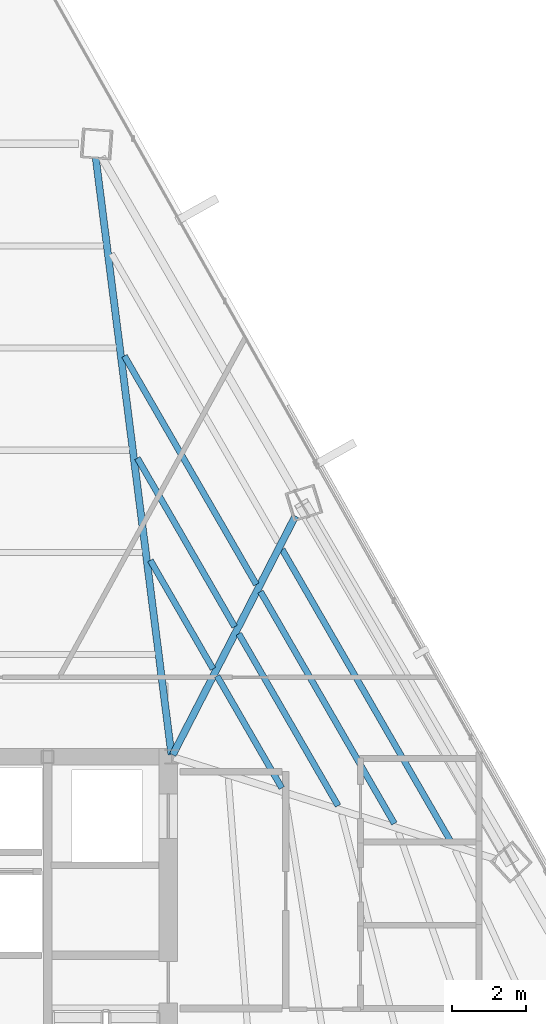
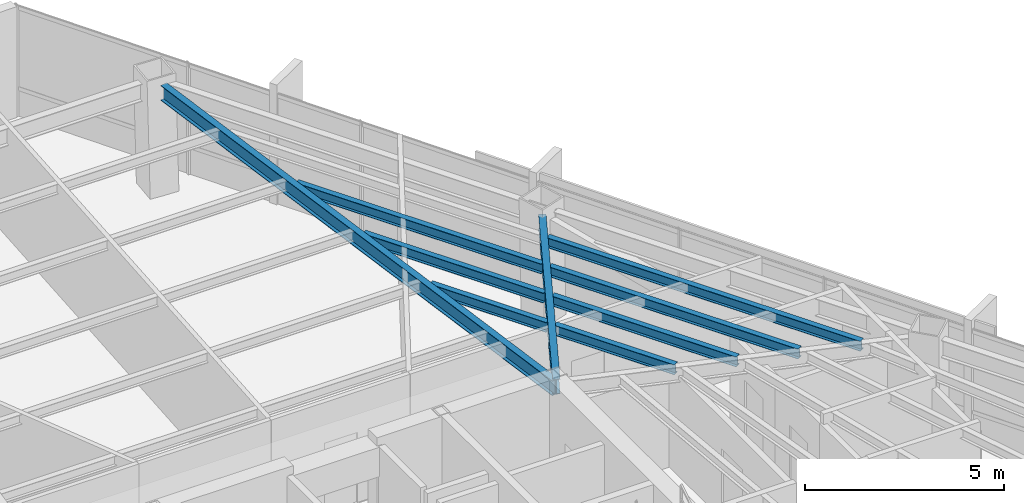
# One storey, part 25 of 42: 9 beams.
"""IFC4 building model written with IfcOpenShell, lengths in metres."""

import ifcopenshell
import ifcopenshell.guid

model = None  # the IFC model being written
_history = None  # IfcOwnerHistory: only IFC2X3 demands one
_inside = {}  # id of a spatial element -> (the spatial element, [elements in it])
_under = {}  # id of a project, library or spatial element -> (it, [spatial elements below it])
_declared = {}  # id of a project -> (the project, [libraries it declares])
_typed = {}  # id of a type object -> (the type object, [elements of that type])
_made_of = {}  # id of a material, layer set ... -> (it, [elements and type objects made of it])


def new_model(schema):
    """Start an empty IFC model of exactly this schema.

    Asked for "IFC4X3", IfcOpenShell would pick the latest addendum, in which some entities
    have other attributes; the version numbers below select the first issue.
    IFC2X3 requires an IfcOwnerHistory on every rooted entity: one is made here for all.
    """
    global model, _history
    if schema == "IFC4X3":
        model = ifcopenshell.file(schema_version=(4, 3, 0, 0))
    else:
        model = ifcopenshell.file(schema=schema)
    _inside.clear()
    _under.clear()
    _declared.clear()
    _typed.clear()
    _made_of.clear()
    _history = None
    if model.schema == "IFC2X3":
        org = make("IfcOrganization", Name="unknown")
        user = make(
            "IfcPersonAndOrganization",
            ThePerson=make("IfcPerson", FamilyName="unknown"),
            TheOrganization=org,
        )
        app = make(
            "IfcApplication",
            ApplicationDeveloper=org,
            Version="unknown",
            ApplicationFullName="unknown",
            ApplicationIdentifier="unknown",
        )
        _history = make(
            "IfcOwnerHistory",
            OwningUser=user,
            OwningApplication=app,
            ChangeAction="ADDED",
            CreationDate=0,
        )
    return model


def make(cls, **values):
    """One entity of the class cls with the attributes given. An attribute that is None is left unset."""
    return model.create_entity(
        cls, **{name: value for name, value in values.items() if value is not None}
    )


def rooted(cls, **values):
    """An entity with a GlobalId (a new one), such as an element, a storey or a relation."""
    return make(cls, GlobalId=ifcopenshell.guid.new(), OwnerHistory=_history, **values)


def si_unit(unit_type, name, prefix=None):
    """IfcSIUnit, for example si_unit("LENGTHUNIT", "METRE", prefix="MILLI")."""
    return make("IfcSIUnit", UnitType=unit_type, Prefix=prefix, Name=name)


def assignment(units):
    """IfcUnitAssignment: the units of a project."""
    return None if units is None else make("IfcUnitAssignment", Units=units)


def point(xyz):
    """IfcCartesianPoint."""
    return None if xyz is None else make("IfcCartesianPoint", Coordinates=xyz)


def direction(xyz):
    """IfcDirection."""
    return None if xyz is None else make("IfcDirection", DirectionRatios=xyz)


def frame(location, z_axis=None, x_axis=None):
    """IfcAxis2Placement3D, a coordinate frame: its origin and axes. An axis left out is left unset."""
    return make(
        "IfcAxis2Placement3D",
        Location=point(location),
        Axis=direction(z_axis),
        RefDirection=direction(x_axis),
    )


def frame_2d(location, x_axis=None):
    """IfcAxis2Placement2D, a coordinate frame in the plane: its origin and x axis."""
    return make(
        "IfcAxis2Placement2D", Location=point(location), RefDirection=direction(x_axis)
    )


def origin():
    """The frame at (0, 0, 0) with its axes left unset."""
    return frame((0.0, 0.0, 0.0))


def origin_2d():
    """The frame at (0, 0) in the plane with its x axis left unset."""
    return frame_2d((0.0, 0.0))


def place(relative_to, where):
    """IfcLocalPlacement: puts the frame where relative to a parent placement (None: the world)."""
    return make(
        "IfcLocalPlacement", PlacementRelTo=relative_to, RelativePlacement=where
    )


def context(
    kind, dimensions, precision=None, world=None, true_north=None, identifier=None
):
    """IfcGeometricRepresentationContext, for example the 3D "Model" context."""
    return make(
        "IfcGeometricRepresentationContext",
        ContextIdentifier=identifier,
        ContextType=kind,
        CoordinateSpaceDimension=dimensions,
        Precision=precision,
        WorldCoordinateSystem=world,
        TrueNorth=true_north,
    )


def subcontext(parent, identifier, kind, view, scale=None):
    """IfcGeometricRepresentationSubContext, for example "Body" below "Model"."""
    return make(
        "IfcGeometricRepresentationSubContext",
        ContextIdentifier=identifier,
        ContextType=kind,
        ParentContext=parent,
        TargetScale=scale,
        TargetView=view,
    )


def project(units=None, contexts=None):
    """IfcProject with its units and contexts."""
    return rooted(
        "IfcProject",
        Name="project",
        RepresentationContexts=contexts,
        UnitsInContext=assignment(units),
    )


def spatial(cls, under=None, at=None, **own):
    """A site, building, storey or space (cls), placed at a placement, below another one or the project."""
    s = rooted(cls, ObjectPlacement=at, **own)
    if under is not None:
        _under.setdefault(under.id(), (under, []))[1].append(s)
    return s


def profile(cls, at=None, kind="AREA", **sizes):
    """A parametric profile (cls). Its sizes go by their IFC names, for example OverallWidth=200.0."""
    return make(cls, ProfileType=kind, Position=at, **sizes)


def i_section(**sizes):
    """IfcIShapeProfileDef."""
    return profile("IfcIShapeProfileDef", **sizes)


def extrude(swept, where, along, depth):
    """IfcExtrudedAreaSolid: the profile swept, set in the frame where, extruded along a direction by depth."""
    return make(
        "IfcExtrudedAreaSolid",
        SweptArea=swept,
        Position=where,
        ExtrudedDirection=direction(along),
        Depth=depth,
    )


def shape(context_of_items, identifier, shape_type, items):
    """IfcShapeRepresentation: the items that make up one representation, for example the "Body"."""
    return make(
        "IfcShapeRepresentation",
        ContextOfItems=context_of_items,
        RepresentationIdentifier=identifier,
        RepresentationType=shape_type,
        Items=items,
    )


def source(mapping_origin, context_of_items, identifier, shape_type, items):
    """IfcRepresentationMap: a shape defined once, which mapped items show again and again."""
    return make(
        "IfcRepresentationMap",
        MappingOrigin=mapping_origin,
        MappedRepresentation=shape(context_of_items, identifier, shape_type, items),
    )


def transform(
    local_origin,
    x_axis=None,
    y_axis=None,
    z_axis=None,
    scale=None,
    scale2=None,
    scale3=None,
    uniform=True,
):
    """IfcCartesianTransformationOperator3D, or its non-uniform kind. x_axis, y_axis, z_axis: its Axis1, 2, 3."""
    if uniform:
        return make(
            "IfcCartesianTransformationOperator3D",
            Axis1=direction(x_axis),
            Axis2=direction(y_axis),
            LocalOrigin=point(local_origin),
            Scale=scale,
            Axis3=direction(z_axis),
        )
    return make(
        "IfcCartesianTransformationOperator3DnonUniform",
        Axis1=direction(x_axis),
        Axis2=direction(y_axis),
        LocalOrigin=point(local_origin),
        Scale=scale,
        Axis3=direction(z_axis),
        Scale2=scale2,
        Scale3=scale3,
    )


def mapped(mapping_source, mapping_target):
    """IfcMappedItem: shows the shape of a source again, moved by a transform."""
    return make(
        "IfcMappedItem", MappingSource=mapping_source, MappingTarget=mapping_target
    )


def material(Name=None, Category=None):
    """IfcMaterial."""
    return make("IfcMaterial", Name=Name, Category=Category)


def material_profile(
    of_material, cross_section, Name=None, Category=None, Priority=None
):
    """IfcMaterialProfile: a cross section and its material."""
    return make(
        "IfcMaterialProfile",
        Name=Name,
        Material=of_material,
        Profile=cross_section,
        Priority=Priority,
        Category=Category,
    )


def profile_set(profiles, Name=None, composite=None):
    """IfcMaterialProfileSet."""
    return make(
        "IfcMaterialProfileSet",
        Name=Name,
        MaterialProfiles=profiles,
        CompositeProfile=composite,
    )


def made_of(thing, what):
    """Note that an element or type object is made of a material, layer set ...; save() writes the relation."""
    if what is not None:
        _made_of.setdefault(what.id(), (what, []))[1].append(thing)
    return thing


def type_object(cls, material=None, **own):
    """A type object (cls), such as IfcWallType, which elements share."""
    return made_of(rooted(cls, **own), material)


def type_shapes(of_type, sources):
    """Give a type object the sources (RepresentationMaps) that its elements show as mapped items."""
    of_type.RepresentationMaps = sources


def element(
    cls,
    number,
    at=None,
    inside=None,
    cuts=None,
    type_object=None,
    material=None,
    context=None,
    identifier="Body",
    shape_type=None,
    held_by="IfcProductDefinitionShape",
    body=None,
    shapes=None,
    **own,
):
    """One element of the class cls, such as IfcWall. Its Tag is "e" and its number.

    at: its placement. inside: the storey or other place that contains it. cuts: it is an
    opening in that element (IfcRelVoidsElement). A single representation is given by context,
    identifier, shape_type and body (its items); several are given by shapes. held_by: the class
    of the entity that holds the representations. save() writes the other relations.
    """
    e = rooted(cls, Tag="e%d" % number, ObjectPlacement=at, **own)
    if body is not None:
        shapes = [shape(context, identifier, shape_type, body)]
    if shapes is not None:
        e.Representation = make(held_by, Representations=shapes)
    if inside is not None:
        _inside.setdefault(inside.id(), (inside, []))[1].append(e)
    if cuts is not None:
        rooted(
            "IfcRelVoidsElement", RelatingBuildingElement=cuts, RelatedOpeningElement=e
        )
    if type_object is not None:
        _typed.setdefault(type_object.id(), (type_object, []))[1].append(e)
    return made_of(e, material)


def aggregate(whole, parts):
    """IfcRelAggregates: a whole, such as a stair, and the parts it consists of."""
    return rooted("IfcRelAggregates", RelatingObject=whole, RelatedObjects=parts)


def save(model, path):
    """Write the relations noted so far, then the file.

    IfcRelAggregates (storeys below a building ...), IfcRelContainedInSpatialStructure (elements
    in a storey), IfcRelDefinesByType, IfcRelAssociatesMaterial and IfcRelDeclares: one each for
    every whole, place, type object, material and project.
    """
    for whole, parts in _under.values():
        aggregate(whole, parts)
    for where, things in _inside.values():
        rooted(
            "IfcRelContainedInSpatialStructure",
            RelatedElements=things,
            RelatingStructure=where,
        )
    for kind, things in _typed.values():
        rooted("IfcRelDefinesByType", RelatedObjects=things, RelatingType=kind)
    for what, things in _made_of.values():
        rooted("IfcRelAssociatesMaterial", RelatedObjects=things, RelatingMaterial=what)
    for by, libraries in _declared.values():
        rooted("IfcRelDeclares", RelatingContext=by, RelatedDefinitions=libraries)
    model.write(path)


model = new_model("IFC4")

# Units and contexts
model_context = context("Model", 3, precision=1e-05, world=origin(), true_north=direction((0.0, 1.0)))
body_context = subcontext(model_context, "Body", "Model", "MODEL_VIEW")
ifc_project = project(units=[si_unit("LENGTHUNIT", "METRE"), si_unit("AREAUNIT", "SQUARE_METRE"), si_unit("VOLUMEUNIT", "CUBIC_METRE"), si_unit("PLANEANGLEUNIT", "RADIAN"), si_unit("MASSUNIT", "GRAM", prefix="KILO")], contexts=[model_context])

# Site, building, storey
site_placement = place(None, origin())
site = spatial("IfcSite", under=ifc_project, at=site_placement, CompositionType="ELEMENT")
building_placement = place(site_placement, origin())
building = spatial("IfcBuilding", under=site, at=building_placement, Name="Caelisora Broadcast Tower", CompositionType="ELEMENT")
storey_placement = place(building_placement, frame((0.0, 0.0, 187.699951171875)))
storey = spatial("IfcBuildingStorey", under=building, at=storey_placement, Name="L49", CompositionType="ELEMENT", Elevation=187.699951171875)

# Beams
ifc_material = material(Name="Steel Grade 350 (AS/NZS 3679.1)", Category="steel")
ifc_material_profile_1 = material_profile(ifc_material, i_section(OverallWidth=0.166015625, OverallDepth=0.30712890625, WebThickness=0.006591796875, FlangeThickness=0.01171875, at=origin_2d()), Name="Steel Grade 350 (AS/NZS 3679.1)")
ifc_profile_set_1 = profile_set([ifc_material_profile_1], Name="Steel Grade 350 (AS/NZS 3679.1)")
beam_type_1 = type_object("IfcBeamType", Name="SB03", PredefinedType="JOIST", material=ifc_profile_set_1)
shared_shape_1 = source(origin(), body_context, "Body", "SweptSolid", [
    extrude(i_section(OverallWidth=0.166015625, OverallDepth=0.30712890625, WebThickness=0.006591796875, FlangeThickness=0.01171875, at=origin_2d()), origin(), (0.0, 0.0, 1.0), 9.10498046875),
])
beam_1_placement = place(storey_placement, frame((53.034912109375, 27.718017578125, 3.246337890625), z_axis=(-0.499994791547, 0.866028410865, 0.0), x_axis=(-0.866028410865, -0.499994791547, 0.0)))
element("IfcBeam", 1, at=beam_1_placement, inside=storey, type_object=beam_type_1, Name="L49 beam SB03", PredefinedType="JOIST", context=body_context, shape_type="MappedRepresentation", body=[
    mapped(shared_shape_1, transform((0.0, 0.0, 0.0), scale=1.0)),
])
ifc_material_profile_2 = material_profile(ifc_material, i_section(OverallWidth=0.19091796875, OverallDepth=0.46044921875, WebThickness=0.010009765625, FlangeThickness=0.01611328125, at=origin_2d()), Name="Steel Grade 350 (AS/NZS 3679.1)")
ifc_profile_set_2 = profile_set([ifc_material_profile_2], Name="Steel Grade 350 (AS/NZS 3679.1)")
beam_type_2 = type_object("IfcBeamType", Name="PG06", PredefinedType="BEAM", material=ifc_profile_set_2)
shared_shape_2 = source(origin(), body_context, "Body", "SweptSolid", [
    extrude(i_section(OverallWidth=0.19091796875, OverallDepth=0.46044921875, WebThickness=0.010009765625, FlangeThickness=0.01611328125, at=origin_2d()), origin(), (0.0, 0.0, 1.0), 16.2568359375),
])
beam_2_placement = place(storey_placement, frame((45.492431640625, 30.0595703125, 3.169921875), z_axis=(-0.125803393224, 0.992055193149, 0.0), x_axis=(-0.992055193149, -0.125803393224, 0.0)))
element("IfcBeam", 2, at=beam_2_placement, inside=storey, type_object=beam_type_2, Name="L49 beam PG06", PredefinedType="BEAM", context=body_context, shape_type="MappedRepresentation", body=[
    mapped(shared_shape_2, transform((0.0, 0.0, 0.0), scale=1.0)),
])
shared_shape_3 = source(origin(), body_context, "Body", "SweptSolid", [
    extrude(i_section(OverallWidth=0.19091796875, OverallDepth=0.46044921875, WebThickness=0.010009765625, FlangeThickness=0.01611328125, at=origin_2d()), origin(), (0.0, 0.0, 1.0), 7.252197265625),
])
type_shapes(beam_type_2, [shared_shape_2, shared_shape_3])
beam_3_placement = place(storey_placement, frame((45.52734375, 30.053466796875, 3.169921875), z_axis=(0.456896121894, 0.88952005812, 0.0), x_axis=(-0.88952005812, 0.456896121894, 0.0)))
element("IfcBeam", 3, at=beam_3_placement, inside=storey, type_object=beam_type_2, Name="L49 beam PG06", PredefinedType="BEAM", context=body_context, shape_type="MappedRepresentation", body=[
    mapped(shared_shape_3, transform((0.0, 0.0, 0.0), scale=1.0)),
])
shared_shape_4 = source(origin(), body_context, "Body", "SweptSolid", [
    extrude(i_section(OverallWidth=0.166015625, OverallDepth=0.30712890625, WebThickness=0.006591796875, FlangeThickness=0.01171875, at=origin_2d()), origin(), (0.0, 0.0, 1.0), 3.387451171875),
])
beam_4_placement = place(storey_placement, frame((46.615478515625, 32.37548828125, 3.246337890625), z_axis=(-0.499976170333, 0.866039161412, 0.0), x_axis=(-0.866039161412, -0.499976170333, 0.0)))
element("IfcBeam", 4, at=beam_4_placement, inside=storey, type_object=beam_type_1, Name="L49 beam SB03", PredefinedType="JOIST", context=body_context, shape_type="MappedRepresentation", body=[
    mapped(shared_shape_4, transform((0.0, 0.0, 0.0), scale=1.0)),
])
shared_shape_5 = source(origin(), body_context, "Body", "SweptSolid", [
    extrude(i_section(OverallWidth=0.166015625, OverallDepth=0.30712890625, WebThickness=0.006591796875, FlangeThickness=0.01171875, at=origin_2d()), origin(), (0.0, 0.0, 1.0), 5.25830078125),
])
beam_5_placement = place(storey_placement, frame((47.200927734375, 33.51513671875, 3.246337890625), z_axis=(-0.499989046147, 0.866031727902, 0.0), x_axis=(-0.866031727902, -0.499989046147, 0.0)))
element("IfcBeam", 5, at=beam_5_placement, inside=storey, type_object=beam_type_1, Name="L49 beam SB03", PredefinedType="JOIST", context=body_context, shape_type="MappedRepresentation", body=[
    mapped(shared_shape_5, transform((0.0, 0.0, 0.0), scale=1.0)),
])
shared_shape_6 = source(origin(), body_context, "Body", "SweptSolid", [
    extrude(i_section(OverallWidth=0.166015625, OverallDepth=0.30712890625, WebThickness=0.006591796875, FlangeThickness=0.01171875, at=origin_2d()), origin(), (0.0, 0.0, 1.0), 7.129150390625),
])
beam_6_placement = place(storey_placement, frame((47.786376953125, 34.655029296875, 3.246337890625), z_axis=(-0.500009992011, 0.866019634817, 0.0), x_axis=(-0.866019634817, -0.500009992011, 0.0)))
element("IfcBeam", 6, at=beam_6_placement, inside=storey, type_object=beam_type_1, Name="L49 beam SB03", PredefinedType="JOIST", context=body_context, shape_type="MappedRepresentation", body=[
    mapped(shared_shape_6, transform((0.0, 0.0, 0.0), scale=1.0)),
])
shared_shape_7 = source(origin(), body_context, "Body", "SweptSolid", [
    extrude(i_section(OverallWidth=0.166015625, OverallDepth=0.30712890625, WebThickness=0.006591796875, FlangeThickness=0.01171875, at=origin_2d()), origin(), (0.0, 0.0, 1.0), 3.49267578125),
])
beam_7_placement = place(storey_placement, frame((48.472412109375, 29.1591796875, 3.246337890625), z_axis=(-0.500010879287, 0.866019122534, 0.0), x_axis=(-0.866019122534, -0.500010879287, 0.0)))
element("IfcBeam", 7, at=beam_7_placement, inside=storey, type_object=beam_type_1, Name="L49 beam SB03", PredefinedType="JOIST", context=body_context, shape_type="MappedRepresentation", body=[
    mapped(shared_shape_7, transform((0.0, 0.0, 0.0), scale=1.0)),
])
shared_shape_8 = source(origin(), body_context, "Body", "SweptSolid", [
    extrude(i_section(OverallWidth=0.166015625, OverallDepth=0.30712890625, WebThickness=0.006591796875, FlangeThickness=0.01171875, at=origin_2d()), origin(), (0.0, 0.0, 1.0), 5.363525390625),
])
beam_8_placement = place(storey_placement, frame((49.993408203125, 28.6787109375, 3.246337890625), z_axis=(-0.500011394563, 0.86601882503, 0.0), x_axis=(-0.86601882503, -0.500011394563, 0.0)))
element("IfcBeam", 8, at=beam_8_placement, inside=storey, type_object=beam_type_1, Name="L49 beam SB03", PredefinedType="JOIST", context=body_context, shape_type="MappedRepresentation", body=[
    mapped(shared_shape_8, transform((0.0, 0.0, 0.0), scale=1.0)),
])
shared_shape_9 = source(origin(), body_context, "Body", "SweptSolid", [
    extrude(i_section(OverallWidth=0.166015625, OverallDepth=0.30712890625, WebThickness=0.006591796875, FlangeThickness=0.01171875, at=origin_2d()), origin(), (0.0, 0.0, 1.0), 7.234375),
])
type_shapes(beam_type_1, [shared_shape_1, shared_shape_4, shared_shape_5, shared_shape_6, shared_shape_7, shared_shape_8, shared_shape_9])
beam_9_placement = place(storey_placement, frame((51.51416015625, 28.1982421875, 3.246337890625), z_axis=(-0.500000946412, 0.866024857372, 0.0), x_axis=(-0.866024857372, -0.500000946412, 0.0)))
element("IfcBeam", 9, at=beam_9_placement, inside=storey, type_object=beam_type_1, Name="L49 beam SB03", PredefinedType="JOIST", context=body_context, shape_type="MappedRepresentation", body=[
    mapped(shared_shape_9, transform((0.0, 0.0, 0.0), scale=1.0)),
])

save(model, "model.ifc")
